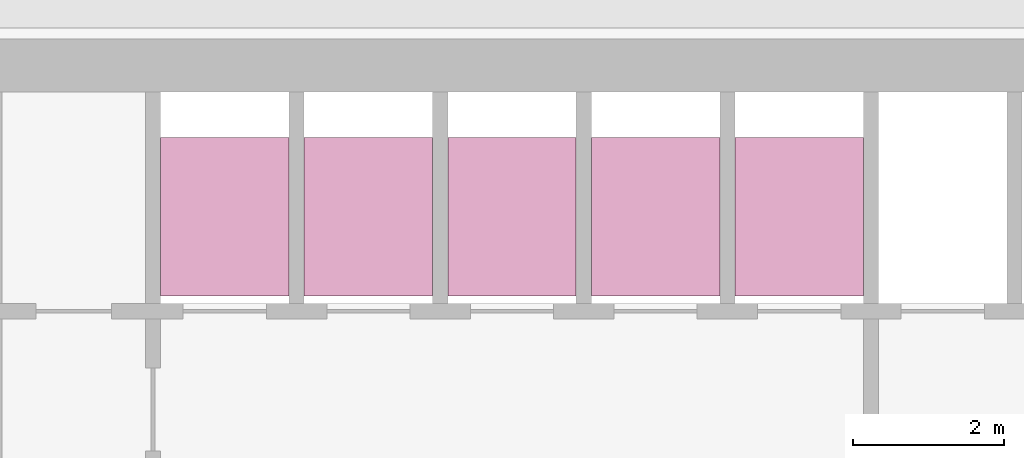
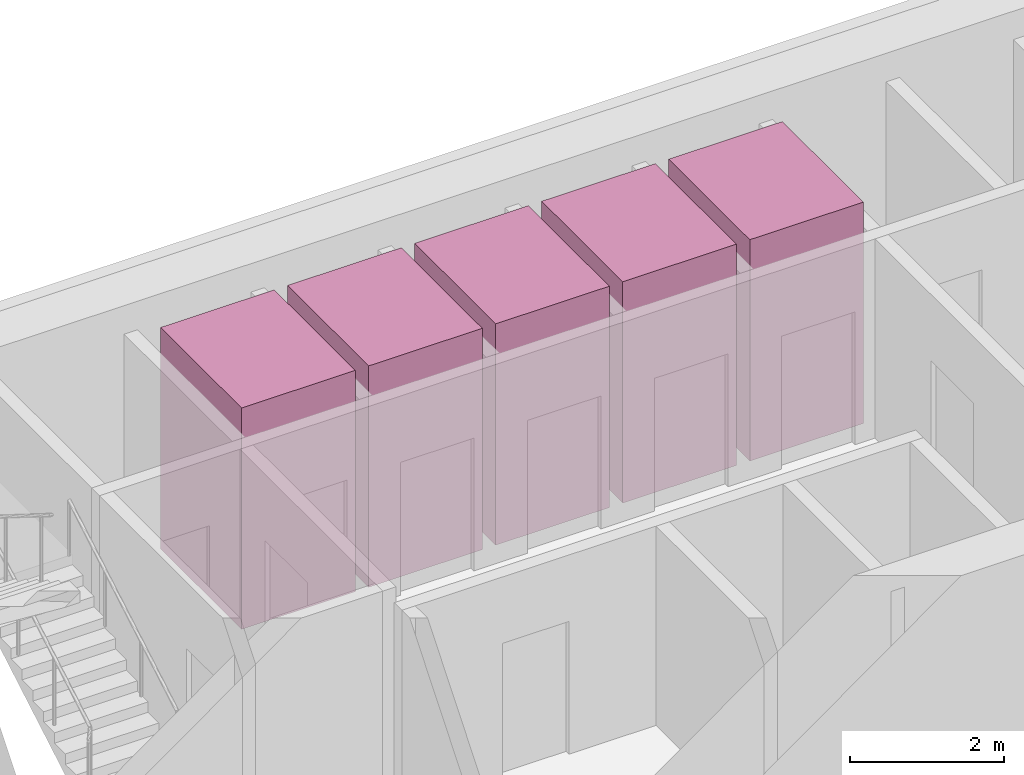
# One storey, part 12 of 12: 5 transport elements.
"""IFC4 building model written with IfcOpenShell, lengths in metres."""

from ifc_helpers import new_model, si_unit, direction, frame, origin, origin_2d, place, context, subcontext, project, spatial, rectangle, extrude, material, type_object, element, save


model = new_model("IFC4")

# Units and contexts
model_context = context("Model", 3, precision=1e-05, world=origin(), true_north=direction((0.0, 1.0)))
body_context = subcontext(model_context, "Body", "Model", "MODEL_VIEW")
ifc_project = project(units=[si_unit("LENGTHUNIT", "METRE"), si_unit("AREAUNIT", "SQUARE_METRE"), si_unit("VOLUMEUNIT", "CUBIC_METRE"), si_unit("PLANEANGLEUNIT", "RADIAN"), si_unit("MASSUNIT", "GRAM", prefix="KILO")], contexts=[model_context])

# Site, building, storey
site_placement = place(None, origin())
site = spatial("IfcSite", under=ifc_project, at=site_placement, CompositionType="ELEMENT")
building_placement = place(site_placement, origin())
building = spatial("IfcBuilding", under=site, at=building_placement, Name="Altiplano Prism Tower", CompositionType="ELEMENT")
storey_placement = place(building_placement, frame((0.0, 0.0, 205.199951171875)))
storey = spatial("IfcBuildingStorey", under=building, at=storey_placement, Name="L53", CompositionType="ELEMENT", Elevation=205.199951171875)

# Transport elements
ifc_material = material(Name="Stainless steel lift car", Category="steel")
transport_element_type = type_object("IfcTransportElementType", Name="Passenger lift car 1600 x 2100", PredefinedType="ELEVATOR", material=ifc_material)
for number, where, z_axis, x_axis, name in (
    (1, (79.050048828125, 101.75, 0.050048828125), (0.0, 0.0, 1.0), (1.0, 0.0, 0.0), "Mid Zone Passenger Lift 1"),
    (2, (80.949951171875, 101.75, 0.050048828125), (0.0, 0.0, 1.0), (1.0, 0.0, 0.0), "Mid Zone Passenger Lift 2"),
    (3, (82.85009765625, 101.75, 0.050048828125), (0.0, 0.0, 1.0), (1.0, 0.0, 0.0), "Mid Zone Passenger Lift 3"),
    (4, (84.75, 101.75, 0.050048828125), (0.0, 0.0, 1.0), (1.0, 0.0, 0.0), "Mid Zone Passenger Lift 4"),
    (5, (86.64990234375, 101.75, 0.050048828125), (0.0, 0.0, 1.0), (1.0, 0.0, 0.0), "Mid Zone Passenger Lift 5"),
):
    element("IfcTransportElement", number, at=place(storey_placement, frame(where, z_axis=z_axis, x_axis=x_axis)), inside=storey, type_object=transport_element_type, Name=name, PredefinedType="ELEVATOR", context=body_context, shape_type="SweptSolid", body=[
        extrude(rectangle(XDim=1.699951171875, YDim=2.10009765625, at=origin_2d()), origin(), (0.0, 0.0, 1.0), 3.5),
    ])

save(model, "model.ifc")
